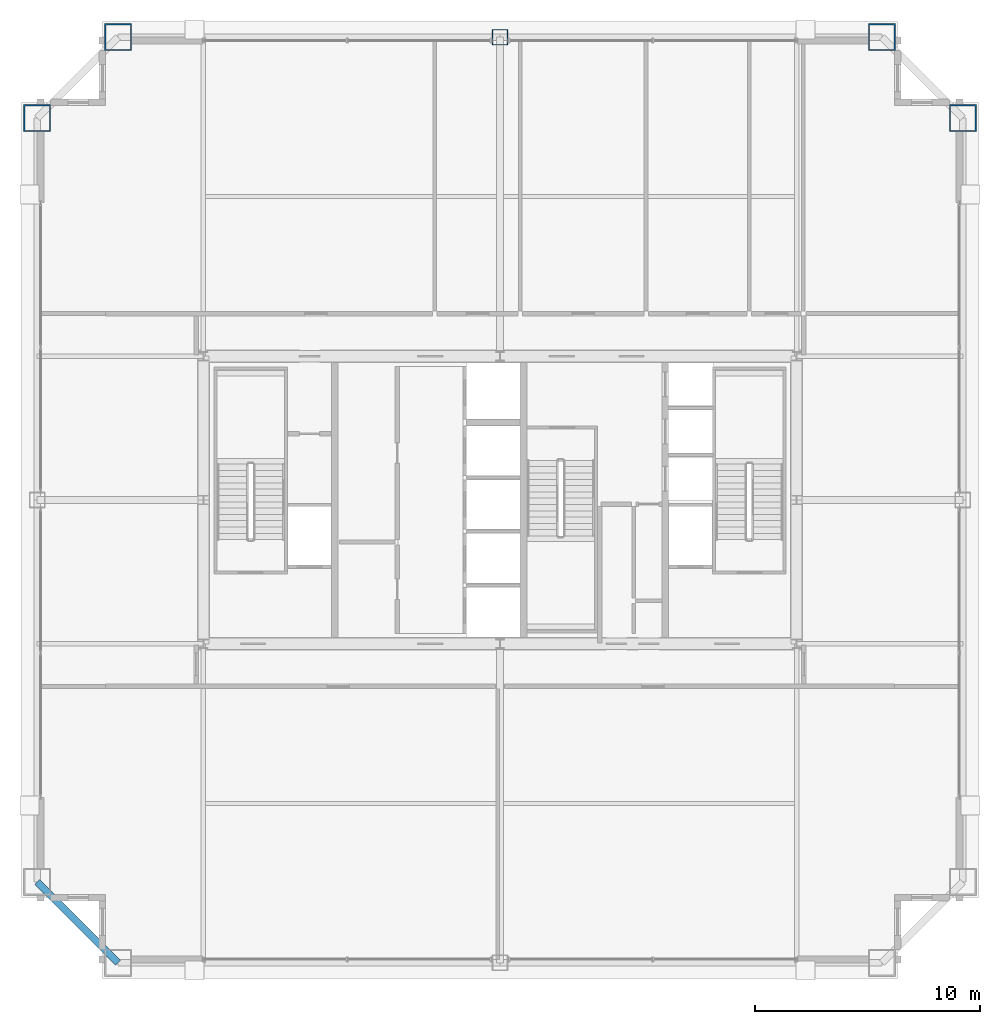
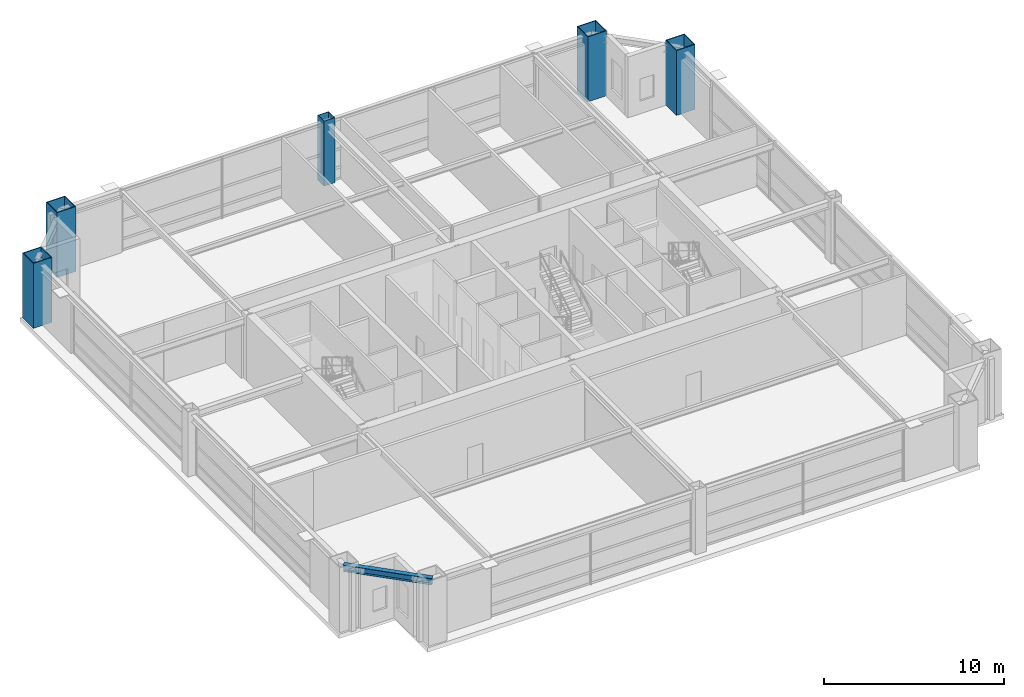
# One storey, part 2 of 26: 5 columns, 1 beam.
"""IFC4 building model written with IfcOpenShell, lengths in metres."""

from ifc_helpers import new_model, si_unit, direction, frame, origin, origin_2d, place, context, subcontext, project, spatial, hollow_rectangle, i_section, extrude, source, transform, mapped, material, material_profile, profile_set, type_object, element, save


model = new_model("IFC4")

# Units and contexts
model_context = context("Model", 3, precision=1e-05, world=origin(), true_north=direction((0.0, 1.0)))
body_context = subcontext(model_context, "Body", "Model", "MODEL_VIEW")
ifc_project = project(units=[si_unit("LENGTHUNIT", "METRE"), si_unit("AREAUNIT", "SQUARE_METRE"), si_unit("VOLUMEUNIT", "CUBIC_METRE"), si_unit("PLANEANGLEUNIT", "RADIAN"), si_unit("MASSUNIT", "GRAM", prefix="KILO"), si_unit("THERMODYNAMICTEMPERATUREUNIT", "KELVIN"), si_unit("POWERUNIT", "WATT")], contexts=[model_context])

# Site, building, storey
site_placement = place(None, origin())
site = spatial("IfcSite", under=ifc_project, at=site_placement, CompositionType="ELEMENT")
building_placement = place(site_placement, origin())
building = spatial("IfcBuilding", under=site, at=building_placement, Name="Yuzanri Waterfront Tower", CompositionType="ELEMENT")
storey_placement = place(building_placement, frame((0.0, 0.0, 259.10009765625)))
storey = spatial("IfcBuildingStorey", under=building, at=storey_placement, Name="L69", CompositionType="ELEMENT", Elevation=259.10009765625)

# Columns
ifc_material_1 = material(Name="Steel Q390GJC", Category="steel")
ifc_material_profile_1 = material_profile(ifc_material_1, hollow_rectangle(XDim=1.199951171875, YDim=1.199951171875, WallThickness=0.054931640625, at=origin_2d()), Name="RHS 1200x1200x55")
ifc_profile_set_1 = profile_set([ifc_material_profile_1], Name="Steel Q390GJC")
column_type_1 = type_object("IfcColumnType", Name="Mega Column Q390GJC RHS 1200x1200x55", PredefinedType="COLUMN", material=ifc_profile_set_1)
shared_shape_1 = source(origin(), body_context, "Body", "SweptSolid", [
    extrude(hollow_rectangle(XDim=1.199951171875, YDim=1.199951171875, WallThickness=0.054931640625, at=origin_2d()), origin(), (0.0, 0.0, 1.0), 4.39990234375),
])
for number, where, z_axis, x_axis, name in (
    (1, (20.0, 46.39990234375, 0.0), (0.0, 0.0, 1.0), (1.0, 0.0, 0.0), "L69 Perimeter Mega Column N1"),
    (2, (54.0, 46.39990234375, 0.0), (0.0, 0.0, 1.0), (1.0, 0.0, 0.0), "L69 Perimeter Mega Column N3"),
    (3, (16.39990234375, 42.800048828125, 0.0), (0.0, 0.0, 1.0), (1.0, 0.0, 0.0), "L69 Perimeter Mega Column W3"),
    (4, (57.60009765625, 42.800048828125, 0.0), (0.0, 0.0, 1.0), (1.0, 0.0, 0.0), "L69 Perimeter Mega Column E3"),
):
    element("IfcColumn", number, at=place(storey_placement, frame(where, z_axis=z_axis, x_axis=x_axis)), inside=storey, type_object=column_type_1, Name=name, PredefinedType="COLUMN", context=body_context, shape_type="MappedRepresentation", body=[
        mapped(shared_shape_1, transform((0.0, 0.0, 0.0), scale=1.0)),
    ])
ifc_material_2 = material(Name="Steel Q355B", Category="steel")
ifc_material_profile_2 = material_profile(ifc_material_2, hollow_rectangle(XDim=0.699951171875, YDim=0.699951171875, WallThickness=0.031982421875, at=origin_2d()), Name="RHS 700x700x32")
ifc_profile_set_2 = profile_set([ifc_material_profile_2], Name="Steel Q355B")
column_type_2 = type_object("IfcColumnType", Name="Frame Column Q355B RHS 700x700x32", PredefinedType="COLUMN", material=ifc_profile_set_2)
shared_shape_2 = source(origin(), body_context, "Body", "SweptSolid", [
    extrude(hollow_rectangle(XDim=0.699951171875, YDim=0.699951171875, WallThickness=0.031982421875, at=origin_2d()), origin(), (0.0, 0.0, 1.0), 4.39990234375),
])
column_placement = place(storey_placement, frame((37.0, 46.39990234375, 0.0), z_axis=(0.0, 0.0, 1.0), x_axis=(1.0, 0.0, 0.0)))
element("IfcColumn", 5, at=column_placement, inside=storey, type_object=column_type_2, Name="L69 Perimeter Frame Column N2", PredefinedType="COLUMN", context=body_context, shape_type="MappedRepresentation", body=[
    mapped(shared_shape_2, transform((0.0, 0.0, 0.0), scale=1.0)),
])

# Beam
ifc_material_3 = material(Name="Steel Q355B", Category="steel")
ifc_material_profile_3 = material_profile(ifc_material_3, i_section(OverallWidth=0.300048828125, OverallDepth=0.43994140625, WebThickness=0.010986328125, FlangeThickness=0.01806640625, at=origin_2d()), Name="HM 440x300x11x18")
ifc_profile_set_3 = profile_set([ifc_material_profile_3], Name="Steel Q355B")
beam_type = type_object("IfcBeamType", Name="Perimeter Spandrel Q355B HM 440x300", PredefinedType="SPANDREL", material=ifc_profile_set_3)
shared_shape_3 = source(origin(), body_context, "Body", "SweptSolid", [
    extrude(i_section(OverallWidth=0.300048828125, OverallDepth=0.43994140625, WebThickness=0.010986328125, FlangeThickness=0.01806640625, at=origin_2d()), origin(), (0.0, 0.0, 1.0), 5.09130859375),
])
beam_placement = place(storey_placement, frame((16.39990234375, 8.800048828125, 3.89990234375), z_axis=(0.707106781187, -0.707106781187, 0.0), x_axis=(0.707106781187, 0.707106781187, 0.0)))
element("IfcBeam", 6, at=beam_placement, inside=storey, type_object=beam_type, Name="L69 Perimeter Spandrel W1-S1", PredefinedType="SPANDREL", context=body_context, shape_type="MappedRepresentation", body=[
    mapped(shared_shape_3, transform((0.0, 0.0, 0.0), scale=1.0)),
])

save(model, "model.ifc")
